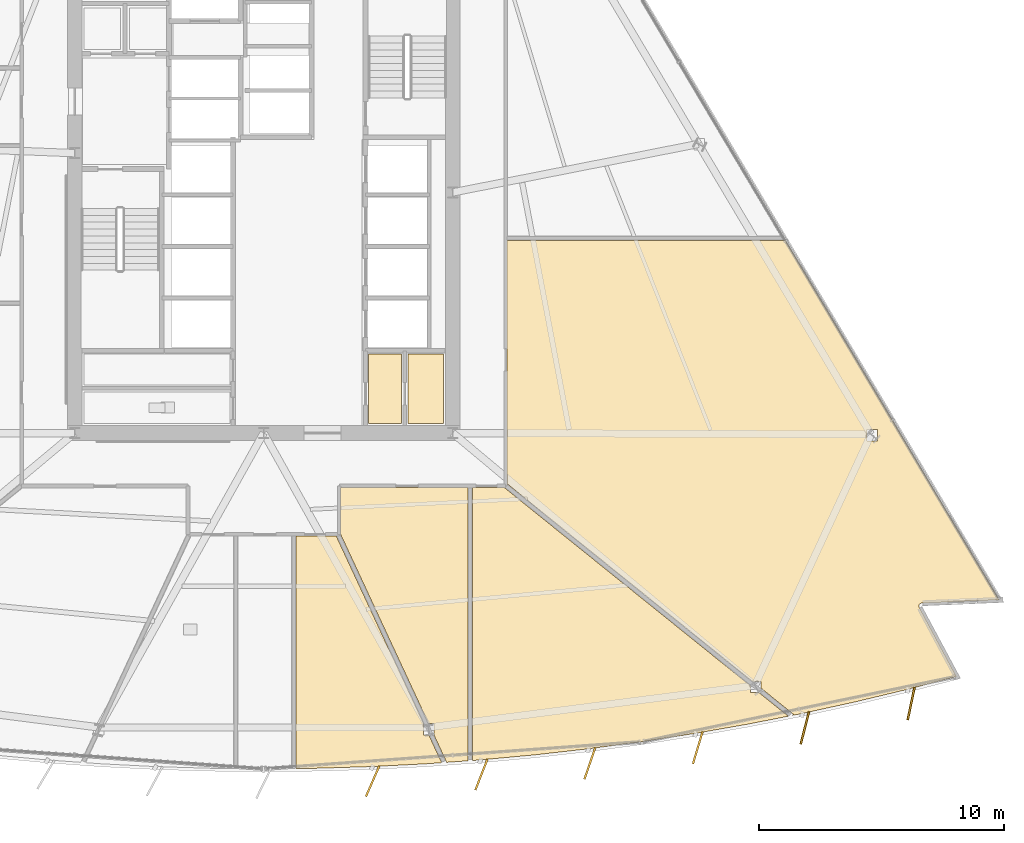
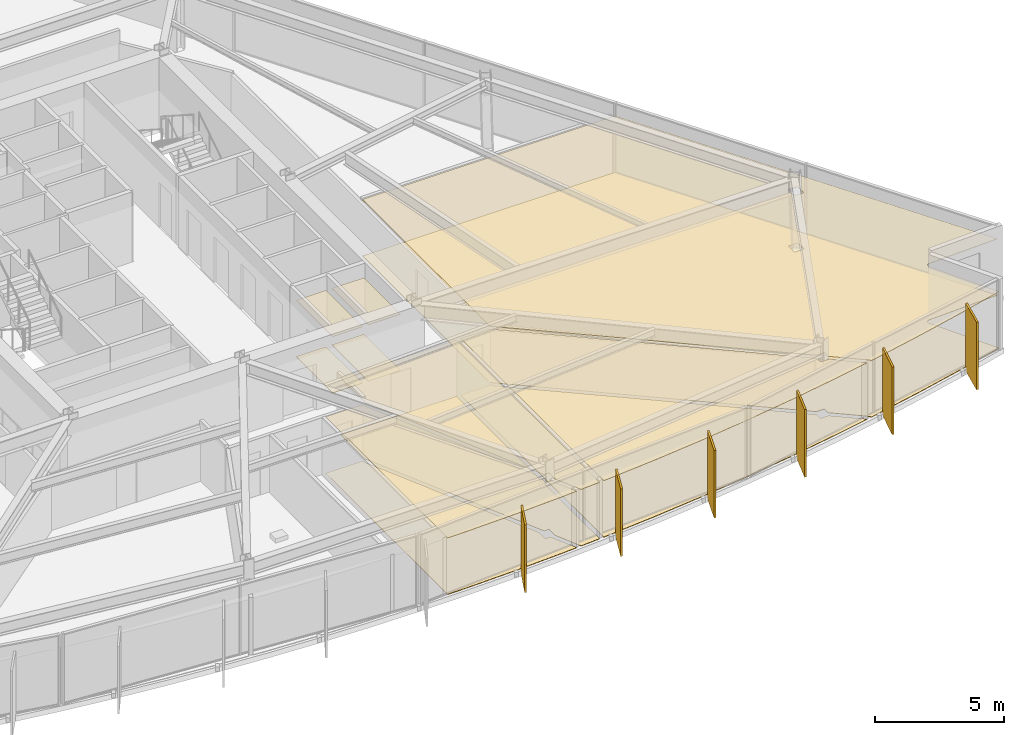
# One storey, part 15 of 18: 12 coverings, 6 shading devices.
"""IFC4 building model written with IfcOpenShell, lengths in metres."""

from ifc_helpers import new_model, si_unit, direction, frame, origin, origin_2d, place, context, subcontext, project, spatial, polyline, rectangle, outline, extrude, material, layer, layer_set, type_object, element, save


model = new_model("IFC4")

# Units and contexts
model_context = context("Model", 3, precision=1e-05, world=origin(), true_north=direction((0.0, 1.0)))
body_context = subcontext(model_context, "Body", "Model", "MODEL_VIEW")
ifc_project = project(units=[si_unit("LENGTHUNIT", "METRE"), si_unit("AREAUNIT", "SQUARE_METRE"), si_unit("VOLUMEUNIT", "CUBIC_METRE"), si_unit("PLANEANGLEUNIT", "RADIAN"), si_unit("MASSUNIT", "GRAM", prefix="KILO")], contexts=[model_context])

# Site, building, storey
site_placement = place(None, origin())
site = spatial("IfcSite", under=ifc_project, at=site_placement, CompositionType="ELEMENT")
building_placement = place(site_placement, origin())
building = spatial("IfcBuilding", under=site, at=building_placement, Name="Savorim Split Tower", CompositionType="ELEMENT")
storey_placement = place(building_placement, frame((0.0, 0.0, 40.800048828125)))
storey = spatial("IfcBuildingStorey", under=building, at=storey_placement, Name="L10", CompositionType="ELEMENT", Elevation=40.800048828125)

# Coverings
ifc_material_1 = material(Name="Mineral Fibre Acoustic Ceiling")
ifc_layer_1 = layer(ifc_material_1, 0.02490234375)
ifc_layer_set_1 = layer_set([ifc_layer_1], Name="COV-CEIL-25")
covering_type_1 = type_object("IfcCoveringType", Name="COV-CEIL-25", PredefinedType="CEILING", material=ifc_layer_set_1)
covering_1_placement = place(storey_placement, frame((0.0, 0.0, 2.669921875)))
element("IfcCovering", 1, at=covering_1_placement, inside=storey, type_object=covering_type_1, Name="L10 Vending Pantry Acoustic Ceiling", PredefinedType="CEILING", context=body_context, shape_type="SweptSolid", body=[
    extrude(outline(polyline([(4.280029296875, -6.179931640625), (4.280029296875, -9.02001953125), (5.6201171875, -9.02001953125), (5.6201171875, -6.179931640625), (4.280029296875, -6.179931640625)])), origin(), (0.0, 0.0, 1.0), 0.025146484375),
])
covering_2_placement = place(storey_placement, frame((0.0, 0.0, 2.669921875)))
element("IfcCovering", 2, at=covering_2_placement, inside=storey, type_object=covering_type_1, Name="L10 Recycling Chute Room Acoustic Ceiling", PredefinedType="CEILING", context=body_context, shape_type="SweptSolid", body=[
    extrude(outline(polyline([(5.8798828125, -6.179931640625), (5.8798828125, -9.02001953125), (7.320068359375, -9.02001953125), (7.320068359375, -6.179931640625), (5.8798828125, -6.179931640625)])), origin(), (0.0, 0.0, 1.0), 0.025146484375),
])
covering_3_placement = place(storey_placement, frame((0.0, 0.0, 2.669921875)))
element("IfcCovering", 3, at=covering_3_placement, inside=storey, type_object=covering_type_1, Name="L10 Maker Workshop Acoustic Ceiling", PredefinedType="CEILING", context=body_context, shape_type="SweptSolid", body=[
    extrude(outline(polyline([(1.3212890625, -23.06640625), (2.2080078125, -23.057373046875), (4.4150390625, -22.989501953125), (6.6201171875, -22.876708984375), (7.252685546875, -22.831298828125), (6.723388671875, -21.693115234375), (6.501708984375, -21.693115234375), (6.501708984375, -21.22705078125), (6.506591796875, -21.22705078125), (2.96728515625, -13.619140625), (2.95361328125, -13.590087890625), (1.3212890625, -13.590087890625), (1.3212890625, -23.06640625)])), origin(), (0.0, 0.0, 1.0), 0.025146484375),
])
covering_4_placement = place(storey_placement, frame((0.0, 0.0, 2.669921875)))
element("IfcCovering", 4, at=covering_4_placement, inside=storey, type_object=covering_type_1, Name="L10 Co-Working Commons Acoustic Ceiling", PredefinedType="CEILING", context=body_context, shape_type="SweptSolid", body=[
    extrude(outline(polyline([(6.932861328125, -21.693115234375), (7.417724609375, -22.7353515625), (7.45556640625, -22.81689453125), (8.3251953125, -22.75439453125), (8.3251953125, -11.6201171875), (3.139892578125, -11.6201171875), (3.139892578125, -13.449951171875), (3.139404296875, -13.463623046875), (3.13720703125, -13.477294921875), (3.134033203125, -13.490478515625), (3.12939453125, -13.503662109375), (3.126220703125, -13.51025390625), (6.716064453125, -21.22705078125), (6.937744140625, -21.22705078125), (6.937744140625, -21.693115234375), (6.932861328125, -21.693115234375)])), origin(), (0.0, 0.0, 1.0), 0.025146484375),
])
covering_5_placement = place(storey_placement, frame((0.0, 0.0, 2.669921875)))
element("IfcCovering", 5, at=covering_5_placement, inside=storey, type_object=covering_type_1, Name="L10 Co-Working Commons Acoustic Ceiling", PredefinedType="CEILING", context=body_context, shape_type="SweptSolid", body=[
    extrude(outline(polyline([(13.215576171875, -22.267578125), (15.404296875, -21.974853515625), (17.586181640625, -21.63720703125), (19.760986328125, -21.255126953125), (21.375, -20.9375), (20.187744140625, -19.981689453125), (19.831787109375, -19.981689453125), (19.831787109375, -19.6953125), (9.82861328125, -11.642578125), (9.798583984375, -11.61865234375), (9.793701171875, -11.619384765625), (9.780029296875, -11.6201171875), (8.51513671875, -11.6201171875), (8.51513671875, -22.74072265625), (8.82275390625, -22.71875), (11.021484375, -22.515625), (13.215576171875, -22.267578125)])), origin(), (0.0, 0.0, 1.0), 0.025146484375),
])
covering_6_placement = place(storey_placement, frame((0.0, 0.0, 2.669921875)))
element("IfcCovering", 6, at=covering_6_placement, inside=storey, type_object=covering_type_1, Name="L10 Co-Working Commons Acoustic Ceiling", PredefinedType="CEILING", context=body_context, shape_type="SweptSolid", body=[
    extrude(outline(polyline([(26.79931640625, -16.3291015625), (26.810791015625, -16.328125), (29.954345703125, -16.1943359375), (21.25244140625, -1.560302734375), (9.919921875, -1.560302734375), (9.919921875, -11.472412109375), (19.911865234375, -19.515625), (20.267822265625, -19.515625), (20.267822265625, -19.80224609375), (21.50537109375, -20.798583984375), (21.579345703125, -20.858154296875), (21.5419921875, -20.904541015625), (21.927490234375, -20.82861328125), (24.0849609375, -20.357666015625), (26.232177734375, -19.843017578125), (28.22216796875, -19.322509765625), (26.710205078125, -16.504638671875), (26.705322265625, -16.494384765625), (26.701416015625, -16.4833984375), (26.698486328125, -16.472412109375), (26.69677734375, -16.4609375), (26.696044921875, -16.449462890625), (26.6962890625, -16.437744140625), (26.697998046875, -16.426513671875), (26.70068359375, -16.4150390625), (26.704345703125, -16.404296875), (26.708984375, -16.393798828125), (26.714599609375, -16.383544921875), (26.721435546875, -16.374267578125), (26.72900390625, -16.365478515625), (26.7373046875, -16.357421875), (26.746337890625, -16.350341796875), (26.756103515625, -16.343994140625), (26.766357421875, -16.3388671875), (26.777099609375, -16.33447265625), (26.7880859375, -16.331298828125), (26.79931640625, -16.3291015625)]), holes=[polyline([(25.00830078125, -9.728271484375), (25.00830078125, -9.26220703125), (24.572509765625, -9.26220703125), (24.572509765625, -9.728271484375), (25.00830078125, -9.728271484375)])]), origin(), (0.0, 0.0, 1.0), 0.025146484375),
])
ifc_material_2 = material(Name="Porcelain Stoneware Flooring", Category="masonry")
ifc_layer_2 = layer(ifc_material_2, 0.02001953125)
ifc_layer_set_2 = layer_set([ifc_layer_2], Name="COV-FLOR-20")
covering_type_2 = type_object("IfcCoveringType", Name="COV-FLOR-20", PredefinedType="FLOORING", material=ifc_layer_set_2)
covering_7_placement = place(storey_placement, origin())
element("IfcCovering", 7, at=covering_7_placement, inside=storey, type_object=covering_type_2, Name="L10 Vending Pantry Porcelain Flooring", PredefinedType="FLOORING", context=body_context, shape_type="SweptSolid", body=[
    extrude(outline(polyline([(4.280029296875, -6.179931640625), (4.280029296875, -9.02001953125), (5.6201171875, -9.02001953125), (5.6201171875, -6.179931640625), (4.280029296875, -6.179931640625)])), origin(), (0.0, 0.0, 1.0), 0.02001953125),
])
covering_8_placement = place(storey_placement, origin())
element("IfcCovering", 8, at=covering_8_placement, inside=storey, type_object=covering_type_2, Name="L10 Recycling Chute Room Porcelain Flooring", PredefinedType="FLOORING", context=body_context, shape_type="SweptSolid", body=[
    extrude(outline(polyline([(5.8798828125, -6.179931640625), (5.8798828125, -9.02001953125), (7.320068359375, -9.02001953125), (7.320068359375, -6.179931640625), (5.8798828125, -6.179931640625)])), origin(), (0.0, 0.0, 1.0), 0.02001953125),
])
covering_9_placement = place(storey_placement, origin())
element("IfcCovering", 9, at=covering_9_placement, inside=storey, type_object=covering_type_2, Name="L10 Maker Workshop Porcelain Flooring", PredefinedType="FLOORING", context=body_context, shape_type="SweptSolid", body=[
    extrude(outline(polyline([(1.3212890625, -23.06640625), (2.2080078125, -23.057373046875), (4.4150390625, -22.989501953125), (6.6201171875, -22.876708984375), (7.252685546875, -22.831298828125), (6.723388671875, -21.693115234375), (6.501708984375, -21.693115234375), (6.501708984375, -21.22705078125), (6.506591796875, -21.22705078125), (2.96728515625, -13.619140625), (2.95361328125, -13.590087890625), (1.3212890625, -13.590087890625), (1.3212890625, -23.06640625)])), origin(), (0.0, 0.0, 1.0), 0.02001953125),
])
covering_10_placement = place(storey_placement, origin())
element("IfcCovering", 10, at=covering_10_placement, inside=storey, type_object=covering_type_2, Name="L10 Co-Working Commons Porcelain Flooring", PredefinedType="FLOORING", context=body_context, shape_type="SweptSolid", body=[
    extrude(outline(polyline([(6.932861328125, -21.693115234375), (7.417724609375, -22.7353515625), (7.45556640625, -22.81689453125), (8.3251953125, -22.75439453125), (8.3251953125, -11.6201171875), (3.139892578125, -11.6201171875), (3.139892578125, -13.449951171875), (3.139404296875, -13.463623046875), (3.13720703125, -13.477294921875), (3.134033203125, -13.490478515625), (3.12939453125, -13.503662109375), (3.126220703125, -13.51025390625), (6.716064453125, -21.22705078125), (6.937744140625, -21.22705078125), (6.937744140625, -21.693115234375), (6.932861328125, -21.693115234375)])), origin(), (0.0, 0.0, 1.0), 0.02001953125),
])
covering_11_placement = place(storey_placement, origin())
element("IfcCovering", 11, at=covering_11_placement, inside=storey, type_object=covering_type_2, Name="L10 Co-Working Commons Porcelain Flooring", PredefinedType="FLOORING", context=body_context, shape_type="SweptSolid", body=[
    extrude(outline(polyline([(13.215576171875, -22.267578125), (15.404296875, -21.974853515625), (17.586181640625, -21.63720703125), (19.760986328125, -21.255126953125), (21.375, -20.9375), (20.187744140625, -19.981689453125), (19.831787109375, -19.981689453125), (19.831787109375, -19.6953125), (9.82861328125, -11.642578125), (9.798583984375, -11.61865234375), (9.793701171875, -11.619384765625), (9.780029296875, -11.6201171875), (8.51513671875, -11.6201171875), (8.51513671875, -22.74072265625), (8.82275390625, -22.71875), (11.021484375, -22.515625), (13.215576171875, -22.267578125)])), origin(), (0.0, 0.0, 1.0), 0.02001953125),
])
covering_12_placement = place(storey_placement, origin())
element("IfcCovering", 12, at=covering_12_placement, inside=storey, type_object=covering_type_2, Name="L10 Co-Working Commons Porcelain Flooring", PredefinedType="FLOORING", context=body_context, shape_type="SweptSolid", body=[
    extrude(outline(polyline([(26.79931640625, -16.3291015625), (26.810791015625, -16.328125), (29.954345703125, -16.1943359375), (21.25244140625, -1.560302734375), (9.919921875, -1.560302734375), (9.919921875, -11.472412109375), (19.911865234375, -19.515625), (20.267822265625, -19.515625), (20.267822265625, -19.80224609375), (21.50537109375, -20.798583984375), (21.579345703125, -20.858154296875), (21.5419921875, -20.904541015625), (21.927490234375, -20.82861328125), (24.0849609375, -20.357666015625), (26.232177734375, -19.843017578125), (28.22216796875, -19.322509765625), (26.710205078125, -16.504638671875), (26.705322265625, -16.494384765625), (26.701416015625, -16.4833984375), (26.698486328125, -16.472412109375), (26.69677734375, -16.4609375), (26.696044921875, -16.449462890625), (26.6962890625, -16.437744140625), (26.697998046875, -16.426513671875), (26.70068359375, -16.4150390625), (26.704345703125, -16.404296875), (26.708984375, -16.393798828125), (26.714599609375, -16.383544921875), (26.721435546875, -16.374267578125), (26.72900390625, -16.365478515625), (26.7373046875, -16.357421875), (26.746337890625, -16.350341796875), (26.756103515625, -16.343994140625), (26.766357421875, -16.3388671875), (26.777099609375, -16.33447265625), (26.7880859375, -16.331298828125), (26.79931640625, -16.3291015625)]), holes=[polyline([(25.00830078125, -9.728271484375), (25.00830078125, -9.26220703125), (24.572509765625, -9.26220703125), (24.572509765625, -9.728271484375), (25.00830078125, -9.728271484375)])]), origin(), (0.0, 0.0, 1.0), 0.02001953125),
])

# Shading devices
ifc_material_3 = material(Name="Terracotta Ceramic-Coated Aluminium Fin", Category="masonry")
shading_device_type = type_object("IfcShadingDeviceType", Name="SHD-FIN-1360", PredefinedType="USERDEFINED", material=ifc_material_3)
for number, where, z_axis, x_axis, name in (
    (13, (4.439453125, -23.585205078125, -0.2001953125), (0.0, 0.0, 1.0), (-0.401230091723, -0.915977299662, 0.0), "L10 Sawtooth Shading Fin 08"),
    (14, (8.871337890625, -23.312744140625, -0.2001953125), (0.0, 0.0, 1.0), (-0.363415461732, -0.931627179817, 0.0), "L10 Sawtooth Shading Fin 09"),
    (15, (13.28857421875, -22.859130859375, -0.2001953125), (0.0, 0.0, 1.0), (-0.324993810493, -0.945716143005, 0.0), "L10 Sawtooth Shading Fin 10"),
    (16, (17.68359375, -22.225341796875, -0.2001953125), (0.0, 0.0, 1.0), (-0.286026212504, -0.958221793616, 0.0), "L10 Sawtooth Shading Fin 11"),
    (17, (22.048583984375, -21.412109375, -0.2001953125), (0.0, 0.0, 1.0), (-0.246581250663, -0.969122121727, 0.0), "L10 Sawtooth Shading Fin 12"),
    (18, (26.377197265625, -20.4208984375, -0.2001953125), (0.0, 0.0, 1.0), (-0.206721626106, -0.978399800337, 0.0), "L10 Sawtooth Shading Fin 13"),
):
    element("IfcShadingDevice", number, at=place(storey_placement, frame(where, z_axis=z_axis, x_axis=x_axis)), inside=storey, type_object=shading_device_type, Name=name, ObjectType="FIN", PredefinedType="USERDEFINED", context=body_context, shape_type="SweptSolid", body=[
        extrude(rectangle(XDim=1.360107421875, YDim=0.080078125, at=origin_2d()), origin(), (0.0, 0.0, 1.0), 3.199951171875),
    ])

save(model, "model.ifc")
